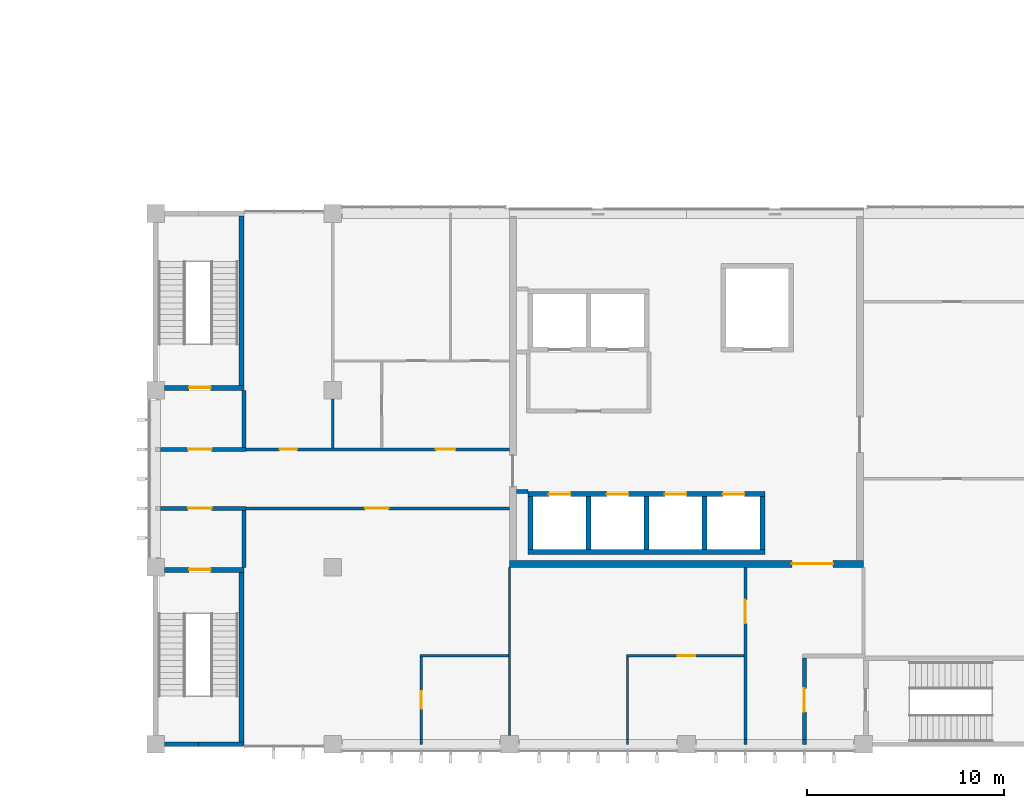
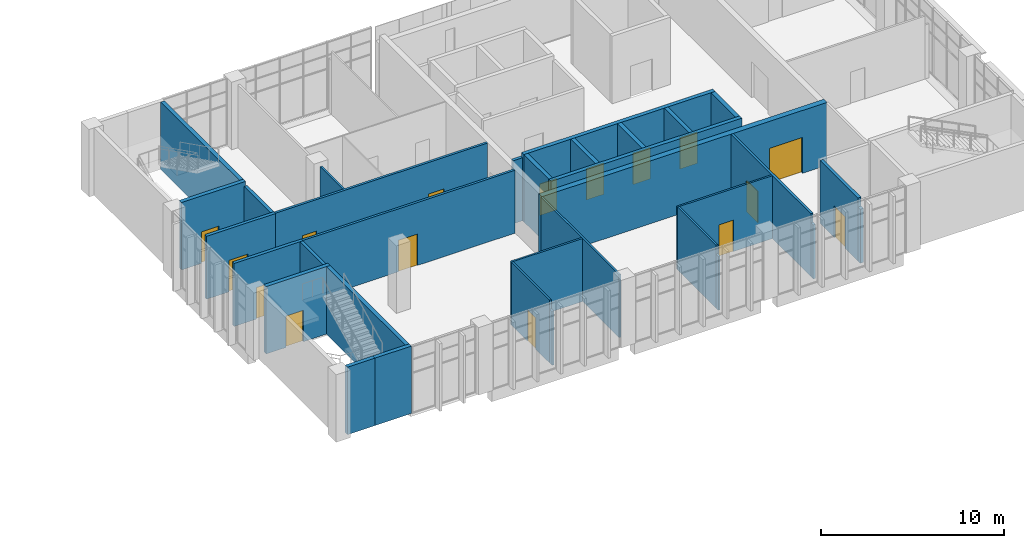
# One storey, part 76 of 106: 33 walls, 16 doors, 16 openings.
"""IFC4 building model written with IfcOpenShell, lengths in metres."""

from ifc_helpers import new_model, si_unit, direction, frame, frame_2d, origin, place, context, subcontext, project, spatial, rectangle, extrude, material, layer, layer_set, type_object, element, fill, save


model = new_model("IFC4")

# Units and contexts
model_context = context("Model", 3, precision=1e-05, world=origin(), true_north=direction((0.0, 1.0)))
body_context = subcontext(model_context, "Body", "Model", "MODEL_VIEW")
ifc_project = project(units=[si_unit("LENGTHUNIT", "METRE"), si_unit("AREAUNIT", "SQUARE_METRE"), si_unit("VOLUMEUNIT", "CUBIC_METRE"), si_unit("PLANEANGLEUNIT", "RADIAN"), si_unit("MASSUNIT", "GRAM", prefix="KILO")], contexts=[model_context])

# Site, building, storey
site_placement = place(None, origin())
site = spatial("IfcSite", under=ifc_project, at=site_placement, CompositionType="ELEMENT")
building_placement = place(site_placement, origin())
building = spatial("IfcBuilding", under=site, at=building_placement, Name="Guidao Yard Department Store", CompositionType="ELEMENT")
storey_placement = place(building_placement, frame((0.0, 0.0, 10.5)))
storey = spatial("IfcBuildingStorey", under=building, at=storey_placement, Name="L02", CompositionType="ELEMENT", Elevation=10.5)

# Wall, opening, door
ifc_material_1 = material(Name="Gypsum Board")
ifc_layer_1 = layer(ifc_material_1, 0.14990234375)
ifc_layer_set_1 = layer_set([ifc_layer_1], Name="Corridor Partition 150 Gypsum Board EI 60")
wall_type_1 = type_object("IfcWallType", Name="Corridor Partition 150 Gypsum Board EI 60", PredefinedType="PARTITIONING", material=ifc_layer_set_1)
wall_1_placement = place(storey_placement, frame((130.39990234375, 12.0, 0.0), z_axis=(0.0, 0.0, 1.0), x_axis=(1.0, 0.0, 0.0)))
wall_1 = element("IfcWall", 1, at=wall_1_placement, inside=storey, type_object=wall_type_1, Name="pt.wall.L02.0006", PredefinedType="PARTITIONING", context=body_context, shape_type="SweptSolid", body=[
    extrude(rectangle(XDim=13.60009765625, YDim=0.14990234375, at=frame_2d((6.800048828125, 0.0))), origin(), (0.0, 0.0, 1.0), 4.199951171875),
])
opening_1_placement = place(wall_1_placement, frame((7.449951171875, 0.0, 0.0), z_axis=(0.0, 0.0, 1.0), x_axis=(-1.0, 0.0, 0.0)))
opening_1 = element("IfcOpeningElement", 2, at=opening_1_placement, cuts=wall_1, Name="Opening L02-412", PredefinedType="OPENING", context=body_context, shape_type="SweptSolid", body=[
    extrude(rectangle(XDim=1.199951171875, YDim=2.10009765625, at=frame_2d((0.60009765625, 1.050048828125))), frame((0.0, 0.0849609375, 0.0), z_axis=(0.0, -1.0, 0.0), x_axis=(1.0, 0.0, 0.0)), (0.0, 0.0, 1.0), 0.169921875),
])
ifc_material_2 = material(Name="Timber door leaf with Steel Q235 frame", Category="steel")
door_type_1 = type_object("IfcDoorType", Name="Door 1200 x 2100 FD30 Single Leaf", OperationType="SINGLE_SWING_LEFT", PredefinedType="DOOR", material=ifc_material_2)
door_1_placement = place(opening_1_placement, origin())
door_1 = element("IfcDoor", 3, at=door_1_placement, inside=storey, type_object=door_type_1, Name="Door L02-412", OperationType="SINGLE_SWING_LEFT", OverallHeight=2.10009765625, OverallWidth=1.199951171875, PredefinedType="DOOR", context=body_context, shape_type="SweptSolid", body=[
    extrude(rectangle(XDim=1.199951171875, YDim=2.10009765625, at=frame_2d((0.60009765625, 1.050048828125))), frame((0.0, 0.02490234375, 0.0), z_axis=(0.0, -1.0, 0.0), x_axis=(1.0, 0.0, 0.0)), (0.0, 0.0, 1.0), 0.050048828125),
])
fill(opening_1, door_1)

# Wall, openings, doors
wall_2_placement = place(storey_placement, frame((130.39990234375, 15.0, 0.0), z_axis=(0.0, 0.0, 1.0), x_axis=(1.0, 0.0, 0.0)))
wall_2 = element("IfcWall", 4, at=wall_2_placement, inside=storey, type_object=wall_type_1, Name="pt.wall.L02.0010", PredefinedType="PARTITIONING", context=body_context, shape_type="SweptSolid", body=[
    extrude(rectangle(XDim=13.60009765625, YDim=0.14990234375, at=frame_2d((6.800048828125, 0.0))), origin(), (0.0, 0.0, 1.0), 4.199951171875),
])
opening_2_placement = place(wall_2_placement, frame((9.85009765625, 0.0, 0.0)))
opening_2 = element("IfcOpeningElement", 5, at=opening_2_placement, cuts=wall_2, Name="Opening L02-407", PredefinedType="OPENING", context=body_context, shape_type="SweptSolid", body=[
    extrude(rectangle(XDim=1.0, YDim=2.10009765625, at=frame_2d((0.5, 1.050048828125))), frame((0.0, 0.0849609375, 0.0), z_axis=(0.0, -1.0, 0.0), x_axis=(1.0, 0.0, 0.0)), (0.0, 0.0, 1.0), 0.169921875),
])
opening_3_placement = place(wall_2_placement, frame((1.89990234375, 0.0, 0.0)))
opening_3 = element("IfcOpeningElement", 6, at=opening_3_placement, cuts=wall_2, Name="Opening L02-411", PredefinedType="OPENING", context=body_context, shape_type="SweptSolid", body=[
    extrude(rectangle(XDim=0.89990234375, YDim=2.10009765625, at=frame_2d((0.449951171875, 1.050048828125))), frame((0.0, 0.0849609375, 0.0), z_axis=(0.0, -1.0, 0.0), x_axis=(1.0, 0.0, 0.0)), (0.0, 0.0, 1.0), 0.169921875),
])
ifc_material_3 = material(Name="Timber door leaf with Steel Q235 frame", Category="steel")
door_type_2 = type_object("IfcDoorType", Name="Door 1000 x 2100 FD30 Single Leaf", OperationType="SINGLE_SWING_LEFT", PredefinedType="DOOR", material=ifc_material_3)
door_2_placement = place(opening_2_placement, origin())
door_2 = element("IfcDoor", 7, at=door_2_placement, inside=storey, type_object=door_type_2, Name="Door L02-407", OperationType="SINGLE_SWING_RIGHT", OverallHeight=2.10009765625, OverallWidth=1.0, PredefinedType="DOOR", context=body_context, shape_type="SweptSolid", body=[
    extrude(rectangle(XDim=1.0, YDim=2.10009765625, at=frame_2d((0.5, 1.050048828125))), frame((0.0, 0.02490234375, 0.0), z_axis=(0.0, -1.0, 0.0), x_axis=(1.0, 0.0, 0.0)), (0.0, 0.0, 1.0), 0.050048828125),
])
fill(opening_2, door_2)
ifc_material_4 = material(Name="Timber door leaf with Steel Q235 frame", Category="steel")
door_type_3 = type_object("IfcDoorType", Name="Door 900 x 2100 FD30 Single Leaf", OperationType="SINGLE_SWING_LEFT", PredefinedType="DOOR", material=ifc_material_4)
door_3_placement = place(opening_3_placement, origin())
door_3 = element("IfcDoor", 8, at=door_3_placement, inside=storey, type_object=door_type_3, Name="Door L02-411", OperationType="SINGLE_SWING_LEFT", OverallHeight=2.10009765625, OverallWidth=0.89990234375, PredefinedType="DOOR", context=body_context, shape_type="SweptSolid", body=[
    extrude(rectangle(XDim=0.89990234375, YDim=2.10009765625, at=frame_2d((0.449951171875, 1.050048828125))), frame((0.0, 0.02490234375, 0.0), z_axis=(0.0, -1.0, 0.0), x_axis=(1.0, 0.0, 0.0)), (0.0, 0.0, 1.0), 0.050048828125),
])
fill(opening_3, door_3)

# Wall
wall_3_placement = place(storey_placement, frame((156.0, 0.0, 0.0), z_axis=(0.0, 0.0, 1.0), x_axis=(0.0, 1.0, 0.0)))
element("IfcWall", 9, at=wall_3_placement, inside=storey, type_object=wall_type_1, Name="pt.wall.L02.0028", PredefinedType="PARTITIONING", context=body_context, shape_type="SweptSolid", body=[
    extrude(rectangle(XDim=0.25, YDim=0.14990234375, at=frame_2d((0.125, 0.0))), origin(), (0.0, 0.0, 1.0), 3.60009765625),
])

# Wall, opening, door
wall_4_placement = place(storey_placement, frame((156.0, 0.25, 0.0), z_axis=(0.0, 0.0, 1.0), x_axis=(0.0, 1.0, 0.0)))
wall_4 = element("IfcWall", 10, at=wall_4_placement, inside=storey, type_object=wall_type_1, Name="pt.wall.L02.0028a", PredefinedType="PARTITIONING", context=body_context, shape_type="SweptSolid", body=[
    extrude(rectangle(XDim=8.75, YDim=0.14990234375, at=frame_2d((4.375, 0.0))), origin(), (0.0, 0.0, 1.0), 4.199951171875),
])
opening_4_placement = place(wall_4_placement, frame((5.89990234375, 0.0, 0.0)))
opening_4 = element("IfcOpeningElement", 11, at=opening_4_placement, cuts=wall_4, Name="Opening L02-414", PredefinedType="OPENING", context=body_context, shape_type="SweptSolid", body=[
    extrude(rectangle(XDim=1.199951171875, YDim=2.10009765625, at=frame_2d((0.60009765625, 1.050048828125))), frame((0.0, 0.0849609375, 0.0), z_axis=(0.0, -1.0, 0.0), x_axis=(1.0, 0.0, 0.0)), (0.0, 0.0, 1.0), 0.169921875),
])
door_4_placement = place(opening_4_placement, origin())
door_4 = element("IfcDoor", 12, at=door_4_placement, inside=storey, type_object=door_type_1, Name="Door L02-414", OperationType="SINGLE_SWING_RIGHT", OverallHeight=2.10009765625, OverallWidth=1.199951171875, PredefinedType="DOOR", context=body_context, shape_type="SweptSolid", body=[
    extrude(rectangle(XDim=1.199951171875, YDim=2.10009765625, at=frame_2d((0.60009765625, 1.050048828125))), frame((0.0, 0.02490234375, 0.0), z_axis=(0.0, -1.0, 0.0), x_axis=(1.0, 0.0, 0.0)), (0.0, 0.0, 1.0), 0.050048828125),
])
fill(opening_4, door_4)

# Wall
ifc_material_5 = material(Name="Gypsum Board")
ifc_layer_2 = layer(ifc_material_5, 0.1201171875)
ifc_layer_set_2 = layer_set([ifc_layer_2], Name="Partition 120 Gypsum Board EI 45")
wall_type_2 = type_object("IfcWallType", Name="Partition 120 Gypsum Board EI 45", PredefinedType="PARTITIONING", material=ifc_layer_set_2)
wall_5_placement = place(storey_placement, frame((139.43994140625, 4.5, 0.0), z_axis=(0.0, 0.0, 1.0), x_axis=(1.0, 0.0, 0.0)))
element("IfcWall", 13, at=wall_5_placement, inside=storey, type_object=wall_type_2, Name="pt.wall.L02.0001", PredefinedType="PARTITIONING", context=body_context, shape_type="SweptSolid", body=[
    extrude(rectangle(XDim=4.5, YDim=0.1201171875, at=frame_2d((2.25, 0.0))), origin(), (0.0, 0.0, 1.0), 4.199951171875),
])

# Wall, opening, door
wall_6_placement = place(storey_placement, frame((149.93994140625, 4.5, 0.0), z_axis=(0.0, 0.0, 1.0), x_axis=(1.0, 0.0, 0.0)))
wall_6 = element("IfcWall", 14, at=wall_6_placement, inside=storey, type_object=wall_type_2, Name="pt.wall.L02.0002", PredefinedType="PARTITIONING", context=body_context, shape_type="SweptSolid", body=[
    extrude(rectangle(XDim=5.985107421875, YDim=0.1201171875, at=frame_2d((2.99267578125, 0.0))), origin(), (0.0, 0.0, 1.0), 4.199951171875),
])
opening_5_placement = place(wall_6_placement, frame((3.510009765625, 0.0, 0.0), z_axis=(0.0, 0.0, 1.0), x_axis=(-1.0, 0.0, 0.0)))
opening_5 = element("IfcOpeningElement", 15, at=opening_5_placement, cuts=wall_6, Name="Opening L02-415", PredefinedType="OPENING", context=body_context, shape_type="SweptSolid", body=[
    extrude(rectangle(XDim=0.89990234375, YDim=2.10009765625, at=frame_2d((0.449951171875, 1.050048828125))), frame((0.0, 0.070068359375, 0.0), z_axis=(0.0, -1.0, 0.0), x_axis=(1.0, 0.0, 0.0)), (0.0, 0.0, 1.0), 0.14013671875),
])
ifc_material_6 = material(Name="Timber door leaf with Steel Q235 frame", Category="steel")
door_type_4 = type_object("IfcDoorType", Name="Door 900 x 2100 NOT RATED Single Leaf", OperationType="SINGLE_SWING_LEFT", PredefinedType="DOOR", material=ifc_material_6)
door_5_placement = place(opening_5_placement, origin())
door_5 = element("IfcDoor", 16, at=door_5_placement, inside=storey, type_object=door_type_4, Name="Door L02-415", OperationType="SINGLE_SWING_LEFT", OverallHeight=2.10009765625, OverallWidth=0.89990234375, PredefinedType="DOOR", context=body_context, shape_type="SweptSolid", body=[
    extrude(rectangle(XDim=0.89990234375, YDim=2.10009765625, at=frame_2d((0.449951171875, 1.050048828125))), frame((0.0, 0.02490234375, 0.0), z_axis=(0.0, -1.0, 0.0), x_axis=(1.0, 0.0, 0.0)), (0.0, 0.0, 1.0), 0.050048828125),
])
fill(opening_5, door_5)

# Walls
wall_7_placement = place(storey_placement, frame((135.0, 15.074951171875, 0.0), z_axis=(0.0, 0.0, 1.0), x_axis=(0.0, 1.0, 0.0)))
element("IfcWall", 17, at=wall_7_placement, inside=storey, type_object=wall_type_2, Name="pt.wall.L02.0018", PredefinedType="PARTITIONING", context=body_context, shape_type="SweptSolid", body=[
    extrude(rectangle(XDim=2.47509765625, YDim=0.1201171875, at=frame_2d((1.237548828125, 0.0))), origin(), (0.0, 0.0, 1.0), 4.199951171875),
])
wall_8_placement = place(storey_placement, frame((139.5, 0.0, 0.0), z_axis=(0.0, 0.0, 1.0), x_axis=(0.0, 1.0, 0.0)))
element("IfcWall", 18, at=wall_8_placement, inside=storey, type_object=wall_type_2, Name="pt.wall.L02.0021", PredefinedType="PARTITIONING", context=body_context, shape_type="SweptSolid", body=[
    extrude(rectangle(XDim=0.25, YDim=0.1201171875, at=frame_2d((0.125, 0.0))), origin(), (0.0, 0.0, 1.0), 3.60009765625),
])

# Wall, opening, door
wall_9_placement = place(storey_placement, frame((139.5, 0.25, 0.0), z_axis=(0.0, 0.0, 1.0), x_axis=(0.0, 1.0, 0.0)))
wall_9 = element("IfcWall", 19, at=wall_9_placement, inside=storey, type_object=wall_type_2, Name="pt.wall.L02.0021a", PredefinedType="PARTITIONING", context=body_context, shape_type="SweptSolid", body=[
    extrude(rectangle(XDim=4.18994140625, YDim=0.1201171875, at=frame_2d((2.094970703125, 0.0))), origin(), (0.0, 0.0, 1.0), 4.199951171875),
])
opening_6_placement = place(wall_9_placement, frame((2.449951171875, 0.0, 0.0), z_axis=(0.0, 0.0, 1.0), x_axis=(-1.0, 0.0, 0.0)))
opening_6 = element("IfcOpeningElement", 20, at=opening_6_placement, cuts=wall_9, Name="Opening L02-413", PredefinedType="OPENING", context=body_context, shape_type="SweptSolid", body=[
    extrude(rectangle(XDim=0.89990234375, YDim=2.10009765625, at=frame_2d((0.449951171875, 1.050048828125))), frame((0.0, 0.070068359375, 0.0), z_axis=(0.0, -1.0, 0.0), x_axis=(1.0, 0.0, 0.0)), (0.0, 0.0, 1.0), 0.14013671875),
])
door_6_placement = place(opening_6_placement, origin())
door_6 = element("IfcDoor", 21, at=door_6_placement, inside=storey, type_object=door_type_4, Name="Door L02-413", OperationType="SINGLE_SWING_RIGHT", OverallHeight=2.10009765625, OverallWidth=0.89990234375, PredefinedType="DOOR", context=body_context, shape_type="SweptSolid", body=[
    extrude(rectangle(XDim=0.89990234375, YDim=2.10009765625, at=frame_2d((0.449951171875, 1.050048828125))), frame((0.0, 0.02490234375, 0.0), z_axis=(0.0, -1.0, 0.0), x_axis=(1.0, 0.0, 0.0)), (0.0, 0.0, 1.0), 0.050048828125),
])
fill(opening_6, door_6)

# Walls
wall_10_placement = place(storey_placement, frame((144.0, 0.449951171875, 0.0), z_axis=(0.0, 0.0, 1.0), x_axis=(0.0, 1.0, 0.0)))
element("IfcWall", 22, at=wall_10_placement, inside=storey, type_object=wall_type_2, Name="pt.wall.L02.0023", PredefinedType="PARTITIONING", context=body_context, shape_type="SweptSolid", body=[
    extrude(rectangle(XDim=8.550048828125, YDim=0.1201171875, at=frame_2d((4.27490234375, 0.0))), origin(), (0.0, 0.0, 1.0), 4.199951171875),
])
wall_11_placement = place(storey_placement, frame((150.0, 0.0, 0.0), z_axis=(0.0, 0.0, 1.0), x_axis=(0.0, 1.0, 0.0)))
element("IfcWall", 23, at=wall_11_placement, inside=storey, type_object=wall_type_2, Name="pt.wall.L02.0026", PredefinedType="PARTITIONING", context=body_context, shape_type="SweptSolid", body=[
    extrude(rectangle(XDim=0.25, YDim=0.1201171875, at=frame_2d((0.125, 0.0))), origin(), (0.0, 0.0, 1.0), 3.60009765625),
])
wall_12_placement = place(storey_placement, frame((150.0, 0.25, 0.0), z_axis=(0.0, 0.0, 1.0), x_axis=(0.0, 1.0, 0.0)))
element("IfcWall", 24, at=wall_12_placement, inside=storey, type_object=wall_type_2, Name="pt.wall.L02.0026a", PredefinedType="PARTITIONING", context=body_context, shape_type="SweptSolid", body=[
    extrude(rectangle(XDim=4.18994140625, YDim=0.1201171875, at=frame_2d((2.094970703125, 0.0))), origin(), (0.0, 0.0, 1.0), 4.199951171875),
])

# Wall, opening, door
ifc_material_7 = material(Name="Autoclaved aerated concrete block A3.5 B06", Category="concrete")
ifc_layer_3 = layer(ifc_material_7, 0.199951171875)
ifc_layer_set_3 = layer_set([ifc_layer_3], Name="Shaft Wall 200 Autoclaved Block EI 120")
wall_type_3 = type_object("IfcWallType", Name="Shaft Wall 200 Autoclaved Block EI 120", PredefinedType="PARTITIONING", material=ifc_layer_set_3)
wall_13_placement = place(storey_placement, frame((126.25, 12.0, 0.0), z_axis=(0.0, 0.0, 1.0), x_axis=(1.0, 0.0, 0.0)))
wall_13 = element("IfcWall", 25, at=wall_13_placement, inside=storey, type_object=wall_type_3, Name="pt.wall.L02.0005a", PredefinedType="PARTITIONING", context=body_context, shape_type="SweptSolid", body=[
    extrude(rectangle(XDim=4.35009765625, YDim=0.199951171875, at=frame_2d((2.175048828125, 0.0))), origin(), (0.0, 0.0, 1.0), 4.199951171875),
])
opening_7_placement = place(wall_13_placement, frame((2.599853515625, 0.0, 0.0), z_axis=(0.0, 0.0, 1.0), x_axis=(-1.0, 0.0, 0.0)))
opening_7 = element("IfcOpeningElement", 26, at=opening_7_placement, cuts=wall_13, Name="Opening L02-401", PredefinedType="OPENING", context=body_context, shape_type="SweptSolid", body=[
    extrude(rectangle(XDim=1.199951171875, YDim=2.10009765625, at=frame_2d((0.60009765625, 1.050048828125))), frame((0.0, 0.10986328125, 0.0), z_axis=(0.0, -1.0, 0.0), x_axis=(1.0, 0.0, 0.0)), (0.0, 0.0, 1.0), 0.219970703125),
])
ifc_material_8 = material(Name="Timber door leaf with Steel Q235 frame", Category="steel")
door_type_5 = type_object("IfcDoorType", Name="Door 1200 x 2100 FD60 Single Leaf", OperationType="SINGLE_SWING_LEFT", PredefinedType="DOOR", material=ifc_material_8)
door_7_placement = place(opening_7_placement, origin())
door_7 = element("IfcDoor", 27, at=door_7_placement, inside=storey, type_object=door_type_5, Name="Door L02-401", OperationType="SINGLE_SWING_RIGHT", OverallHeight=2.10009765625, OverallWidth=1.199951171875, PredefinedType="DOOR", context=body_context, shape_type="SweptSolid", body=[
    extrude(rectangle(XDim=1.199951171875, YDim=2.10009765625, at=frame_2d((0.60009765625, 1.050048828125))), frame((0.0, 0.02490234375, 0.0), z_axis=(0.0, -1.0, 0.0), x_axis=(1.0, 0.0, 0.0)), (0.0, 0.0, 1.0), 0.050048828125),
])
fill(opening_7, door_7)

# Wall
wall_14_placement = place(storey_placement, frame((144.35009765625, 12.85009765625, 0.0), z_axis=(0.0, 0.0, 1.0), x_axis=(1.0, 0.0, 0.0)))
element("IfcWall", 28, at=wall_14_placement, inside=storey, type_object=wall_type_3, Name="pt.wall.L02.0007", PredefinedType="PARTITIONING", context=body_context, shape_type="SweptSolid", body=[
    extrude(rectangle(XDim=0.599853515625, YDim=0.199951171875, at=frame_2d((0.2998046875, 0.0))), origin(), (0.0, 0.0, 1.0), 4.199951171875),
])

# Wall, opening, door
wall_15_placement = place(storey_placement, frame((126.25, 15.0, 0.0), z_axis=(0.0, 0.0, 1.0), x_axis=(1.0, 0.0, 0.0)))
wall_15 = element("IfcWall", 29, at=wall_15_placement, inside=storey, type_object=wall_type_3, Name="pt.wall.L02.0009a", PredefinedType="PARTITIONING", context=body_context, shape_type="SweptSolid", body=[
    extrude(rectangle(XDim=4.35009765625, YDim=0.199951171875, at=frame_2d((2.175048828125, 0.0))), origin(), (0.0, 0.0, 1.0), 4.199951171875),
])
opening_8_placement = place(wall_15_placement, frame((1.39990234375, 0.0, 0.0)))
opening_8 = element("IfcOpeningElement", 30, at=opening_8_placement, cuts=wall_15, Name="Opening L02-403", PredefinedType="OPENING", context=body_context, shape_type="SweptSolid", body=[
    extrude(rectangle(XDim=1.199951171875, YDim=2.10009765625, at=frame_2d((0.60009765625, 1.050048828125))), frame((0.0, 0.10986328125, 0.0), z_axis=(0.0, -1.0, 0.0), x_axis=(1.0, 0.0, 0.0)), (0.0, 0.0, 1.0), 0.219970703125),
])
door_8_placement = place(opening_8_placement, origin())
door_8 = element("IfcDoor", 31, at=door_8_placement, inside=storey, type_object=door_type_5, Name="Door L02-403", OperationType="SINGLE_SWING_LEFT", OverallHeight=2.10009765625, OverallWidth=1.199951171875, PredefinedType="DOOR", context=body_context, shape_type="SweptSolid", body=[
    extrude(rectangle(XDim=1.199951171875, YDim=2.10009765625, at=frame_2d((0.60009765625, 1.050048828125))), frame((0.0, 0.02490234375, 0.0), z_axis=(0.0, -1.0, 0.0), x_axis=(1.0, 0.0, 0.0)), (0.0, 0.0, 1.0), 0.050048828125),
])
fill(opening_8, door_8)

# Walls
for number, where, z_axis, x_axis, name in (
    (32, (130.5, 9.0, 0.0), (0.0, 0.0, 1.0), (0.0, 1.0, 0.0), "pt.wall.L02.0016"),
    (33, (130.5, 15.10009765625, 0.0), (0.0, 0.0, 1.0), (0.0, 1.0, 0.0), "pt.wall.L02.0017"),
):
    element("IfcWall", number, at=place(storey_placement, frame(where, z_axis=z_axis, x_axis=x_axis)), inside=storey, type_object=wall_type_3, Name=name, PredefinedType="PARTITIONING", context=body_context, shape_type="SweptSolid", body=[
        extrude(rectangle(XDim=2.89990234375, YDim=0.199951171875, at=frame_2d((1.449951171875, 0.0))), origin(), (0.0, 0.0, 1.0), 4.199951171875),
    ])
wall_16_placement = place(storey_placement, frame((159.0, 0.0, 0.0), z_axis=(0.0, 0.0, 1.0), x_axis=(0.0, 1.0, 0.0)))
element("IfcWall", 34, at=wall_16_placement, inside=storey, type_object=wall_type_3, Name="pt.wall.L02.0029", PredefinedType="PARTITIONING", context=body_context, shape_type="SweptSolid", body=[
    extrude(rectangle(XDim=0.25, YDim=0.199951171875, at=frame_2d((0.125, 0.0))), origin(), (0.0, 0.0, 1.0), 3.60009765625),
])

# Wall, opening, door
wall_17_placement = place(storey_placement, frame((159.0, 0.25, 0.0), z_axis=(0.0, 0.0, 1.0), x_axis=(0.0, 1.0, 0.0)))
wall_17 = element("IfcWall", 35, at=wall_17_placement, inside=storey, type_object=wall_type_3, Name="pt.wall.L02.0029a", PredefinedType="PARTITIONING", context=body_context, shape_type="SweptSolid", body=[
    extrude(rectangle(XDim=4.14990234375, YDim=0.199951171875, at=frame_2d((2.074951171875, 0.0))), origin(), (0.0, 0.0, 1.0), 4.199951171875),
])
opening_9_placement = place(wall_17_placement, frame((2.599853515625, 0.0, 0.0), z_axis=(0.0, 0.0, 1.0), x_axis=(-1.0, 0.0, 0.0)))
opening_9 = element("IfcOpeningElement", 36, at=opening_9_placement, cuts=wall_17, Name="Opening L02-402", PredefinedType="OPENING", context=body_context, shape_type="SweptSolid", body=[
    extrude(rectangle(XDim=1.199951171875, YDim=2.10009765625, at=frame_2d((0.60009765625, 1.050048828125))), frame((0.0, 0.10986328125, 0.0), z_axis=(0.0, -1.0, 0.0), x_axis=(1.0, 0.0, 0.0)), (0.0, 0.0, 1.0), 0.219970703125),
])
door_9_placement = place(opening_9_placement, origin())
door_9 = element("IfcDoor", 37, at=door_9_placement, inside=storey, type_object=door_type_5, Name="Door L02-402", OperationType="SINGLE_SWING_RIGHT", OverallHeight=2.10009765625, OverallWidth=1.199951171875, PredefinedType="DOOR", context=body_context, shape_type="SweptSolid", body=[
    extrude(rectangle(XDim=1.199951171875, YDim=2.10009765625, at=frame_2d((0.60009765625, 1.050048828125))), frame((0.0, 0.02490234375, 0.0), z_axis=(0.0, -1.0, 0.0), x_axis=(1.0, 0.0, 0.0)), (0.0, 0.0, 1.0), 0.050048828125),
])
fill(opening_9, door_9)

ifc_material_9 = material(Name="Concrete C50", Category="concrete")
ifc_layer_4 = layer(ifc_material_9, 0.35009765625)
ifc_layer_set_4 = layer_set([ifc_layer_4], Name="Shear Wall 350 Concrete C50")
wall_type_4 = type_object("IfcWallType", Name="Shear Wall 350 Concrete C50", PredefinedType="SHEAR", material=ifc_layer_set_4)
wall_18_placement = place(storey_placement, frame((144.0, 9.175048828125, 0.0), z_axis=(0.0, 0.0, 1.0), x_axis=(1.0, 0.0, 0.0)))
wall_18 = element("IfcWall", 38, at=wall_18_placement, inside=storey, type_object=wall_type_4, Name="pt.wall.L02.0004", PredefinedType="SHEAR", context=body_context, shape_type="SweptSolid", body=[
    extrude(rectangle(XDim=18.0, YDim=0.35009765625, at=frame_2d((9.0, 0.0))), origin(), (0.0, 0.0, 1.0), 4.199951171875),
])
opening_10_placement = place(wall_18_placement, frame((16.462646484375, 0.0, 0.0), z_axis=(0.0, 0.0, 1.0), x_axis=(-1.0, 0.0, 0.0)))
opening_10 = element("IfcOpeningElement", 39, at=opening_10_placement, cuts=wall_18, Name="Opening L02-406", PredefinedType="OPENING", context=body_context, shape_type="SweptSolid", body=[
    extrude(rectangle(XDim=2.10009765625, YDim=2.39990234375, at=frame_2d((1.050048828125, 1.199951171875))), frame((0.0, 0.18505859375, 0.0), z_axis=(0.0, -1.0, 0.0), x_axis=(1.0, 0.0, 0.0)), (0.0, 0.0, 1.0), 0.3701171875),
])
ifc_material_10 = material(Name="Timber door leaf with Steel Q235 frame", Category="steel")
door_type_6 = type_object("IfcDoorType", Name="Door 2100 x 2400 FD60 Double Leaf", OperationType="DOUBLE_DOOR_SINGLE_SWING", PredefinedType="DOOR", material=ifc_material_10)
door_10_placement = place(opening_10_placement, origin())
door_10 = element("IfcDoor", 40, at=door_10_placement, inside=storey, type_object=door_type_6, Name="Door L02-406", OperationType="DOUBLE_DOOR_SINGLE_SWING", OverallHeight=2.39990234375, OverallWidth=2.10009765625, PredefinedType="DOOR", context=body_context, shape_type="SweptSolid", body=[
    extrude(rectangle(XDim=2.10009765625, YDim=2.39990234375, at=frame_2d((1.050048828125, 1.199951171875))), frame((0.0, 0.02490234375, 0.0), z_axis=(0.0, -1.0, 0.0), x_axis=(1.0, 0.0, 0.0)), (0.0, 0.0, 1.0), 0.050048828125),
])
fill(opening_10, door_10)

# Walls
ifc_material_11 = material(Name="Concrete C40", Category="concrete")
ifc_layer_5 = layer(ifc_material_11, 0.25)
ifc_layer_set_5 = layer_set([ifc_layer_5], Name="Wall RC 250 C40 stair and shaft")
wall_type_5 = type_object("IfcWallType", Name="Wall RC 250 C40 stair and shaft", PredefinedType="SHEAR", material=ifc_layer_set_5)
wall_19_placement = place(storey_placement, frame((126.449951171875, 0.0, 0.0), z_axis=(0.0, 0.0, 1.0), x_axis=(1.0, 0.0, 0.0)))
element("IfcWall", 41, at=wall_19_placement, inside=storey, type_object=wall_type_5, Name="Stair wall SO1", PredefinedType="SHEAR", context=body_context, shape_type="SweptSolid", body=[
    extrude(rectangle(XDim=1.738037109375, YDim=0.25, at=frame_2d((0.869140625, 0.0))), origin(), (0.0, 0.0, 1.0), 4.5),
])
wall_20_placement = place(storey_placement, frame((128.18798828125, 0.0, 0.0), z_axis=(0.0, 0.0, 1.0), x_axis=(1.0, 0.0, 0.0)))
element("IfcWall", 42, at=wall_20_placement, inside=storey, type_object=wall_type_5, Name="Stair wall SO1", PredefinedType="SHEAR", context=body_context, shape_type="SweptSolid", body=[
    extrude(rectangle(XDim=2.31201171875, YDim=0.25, at=frame_2d((1.156005859375, 0.0))), origin(), (0.0, 0.0, 1.0), 4.5),
])

# Wall, opening, door
wall_21_placement = place(storey_placement, frame((126.449951171875, 8.875, 0.0), z_axis=(0.0, 0.0, 1.0), x_axis=(1.0, 0.0, 0.0)))
wall_21 = element("IfcWall", 43, at=wall_21_placement, inside=storey, type_object=wall_type_5, Name="Stair wall SO1", PredefinedType="SHEAR", context=body_context, shape_type="SweptSolid", body=[
    extrude(rectangle(XDim=4.050048828125, YDim=0.25, at=frame_2d((2.02490234375, 0.0))), origin(), (0.0, 0.0, 1.0), 4.5),
])
opening_11_placement = place(wall_21_placement, frame((2.35009765625, 0.0, 0.0), z_axis=(0.0, 0.0, 1.0), x_axis=(-1.0, 0.0, 0.0)))
opening_11 = element("IfcOpeningElement", 44, at=opening_11_placement, cuts=wall_21, Name="Opening L02-813", PredefinedType="OPENING", context=body_context, shape_type="SweptSolid", body=[
    extrude(rectangle(XDim=1.10009765625, YDim=2.10009765625, at=frame_2d((0.550048828125, 1.050048828125))), frame((0.0, 0.135009765625, 0.0), z_axis=(0.0, -1.0, 0.0), x_axis=(1.0, 0.0, 0.0)), (0.0, 0.0, 1.0), 0.27001953125),
])
ifc_material_12 = material(Name="Steel Q235", Category="steel")
door_type_7 = type_object("IfcDoorType", Name="Door fire-resisting 1100 x 2100 FD60", OperationType="SINGLE_SWING_LEFT", PredefinedType="DOOR", material=ifc_material_12)
door_11_placement = place(opening_11_placement, origin())
door_11 = element("IfcDoor", 45, at=door_11_placement, inside=storey, type_object=door_type_7, Name="Stair O1 door L02", OperationType="SINGLE_SWING_RIGHT", OverallHeight=2.10009765625, OverallWidth=1.10009765625, PredefinedType="DOOR", context=body_context, shape_type="SweptSolid", body=[
    extrude(rectangle(XDim=1.10009765625, YDim=2.10009765625, at=frame_2d((0.550048828125, 1.050048828125))), frame((0.0, 0.02490234375, 0.0), z_axis=(0.0, -1.0, 0.0), x_axis=(1.0, 0.0, 0.0)), (0.0, 0.0, 1.0), 0.050048828125),
])
fill(opening_11, door_11)

# Wall
wall_22_placement = place(storey_placement, frame((130.375, 0.125, 0.0), z_axis=(0.0, 0.0, 1.0), x_axis=(0.0, 1.0, 0.0)))
element("IfcWall", 46, at=wall_22_placement, inside=storey, type_object=wall_type_5, Name="Stair wall SO1", PredefinedType="SHEAR", context=body_context, shape_type="SweptSolid", body=[
    extrude(rectangle(XDim=8.625, YDim=0.25, at=frame_2d((4.3125, 0.0))), origin(), (0.0, 0.0, 1.0), 4.5),
])

# Wall, opening, door
wall_23_placement = place(storey_placement, frame((126.449951171875, 18.125, 0.0), z_axis=(0.0, 0.0, 1.0), x_axis=(1.0, 0.0, 0.0)))
wall_23 = element("IfcWall", 47, at=wall_23_placement, inside=storey, type_object=wall_type_5, Name="Stair wall SO3", PredefinedType="SHEAR", context=body_context, shape_type="SweptSolid", body=[
    extrude(rectangle(XDim=4.050048828125, YDim=0.25, at=frame_2d((2.02490234375, 0.0))), origin(), (0.0, 0.0, 1.0), 4.5),
])
opening_12_placement = place(wall_23_placement, frame((1.25, 0.0, 0.0)))
opening_12 = element("IfcOpeningElement", 48, at=opening_12_placement, cuts=wall_23, Name="Opening L02-815", PredefinedType="OPENING", context=body_context, shape_type="SweptSolid", body=[
    extrude(rectangle(XDim=1.10009765625, YDim=2.10009765625, at=frame_2d((0.550048828125, 1.050048828125))), frame((0.0, 0.135009765625, 0.0), z_axis=(0.0, -1.0, 0.0), x_axis=(1.0, 0.0, 0.0)), (0.0, 0.0, 1.0), 0.27001953125),
])
door_12_placement = place(opening_12_placement, origin())
door_12 = element("IfcDoor", 49, at=door_12_placement, inside=storey, type_object=door_type_7, Name="Stair O3 door L02", OperationType="SINGLE_SWING_LEFT", OverallHeight=2.10009765625, OverallWidth=1.10009765625, PredefinedType="DOOR", context=body_context, shape_type="SweptSolid", body=[
    extrude(rectangle(XDim=1.10009765625, YDim=2.10009765625, at=frame_2d((0.550048828125, 1.050048828125))), frame((0.0, 0.02490234375, 0.0), z_axis=(0.0, -1.0, 0.0), x_axis=(1.0, 0.0, 0.0)), (0.0, 0.0, 1.0), 0.050048828125),
])
fill(opening_12, door_12)

# Wall
wall_24_placement = place(storey_placement, frame((130.375, 18.25, 0.0), z_axis=(0.0, 0.0, 1.0), x_axis=(0.0, 1.0, 0.0)))
element("IfcWall", 50, at=wall_24_placement, inside=storey, type_object=wall_type_5, Name="Stair wall SO3", PredefinedType="SHEAR", context=body_context, shape_type="SweptSolid", body=[
    extrude(rectangle(XDim=8.625, YDim=0.25, at=frame_2d((4.3125, 0.0))), origin(), (0.0, 0.0, 1.0), 4.5),
])

# Wall, openings, doors
wall_25_placement = place(storey_placement, frame((144.949951171875, 12.72509765625, 0.0), z_axis=(0.0, 0.0, 1.0), x_axis=(1.0, 0.0, 0.0)))
wall_25 = element("IfcWall", 51, at=wall_25_placement, inside=storey, type_object=wall_type_5, Name="Lift shaft wall OL1 to OL4", PredefinedType="SHEAR", context=body_context, shape_type="SweptSolid", body=[
    extrude(rectangle(XDim=12.050048828125, YDim=0.25, at=frame_2d((6.02490234375, 0.0))), origin(), (0.0, 0.0, 1.0), 4.5),
])
opening_13_placement = place(wall_25_placement, frame((1.050048828125, 0.0, 0.0)))
opening_13 = element("IfcOpeningElement", 52, at=opening_13_placement, cuts=wall_25, Name="Opening LD-OL1-L02", PredefinedType="OPENING", context=body_context, shape_type="SweptSolid", body=[
    extrude(rectangle(XDim=1.10009765625, YDim=2.10009765625, at=frame_2d((0.550048828125, 1.050048828125))), frame((0.0, 0.135009765625, 0.0), z_axis=(0.0, -1.0, 0.0), x_axis=(1.0, 0.0, 0.0)), (0.0, 0.0, 1.0), 0.27001953125),
])
opening_14_placement = place(wall_25_placement, frame((4.0, 0.0, 0.0)))
opening_14 = element("IfcOpeningElement", 53, at=opening_14_placement, cuts=wall_25, Name="Opening LD-OL2-L02", PredefinedType="OPENING", context=body_context, shape_type="SweptSolid", body=[
    extrude(rectangle(XDim=1.10009765625, YDim=2.10009765625, at=frame_2d((0.550048828125, 1.050048828125))), frame((0.0, 0.135009765625, 0.0), z_axis=(0.0, -1.0, 0.0), x_axis=(1.0, 0.0, 0.0)), (0.0, 0.0, 1.0), 0.27001953125),
])
opening_15_placement = place(wall_25_placement, frame((6.949951171875, 0.0, 0.0)))
opening_15 = element("IfcOpeningElement", 54, at=opening_15_placement, cuts=wall_25, Name="Opening LD-OL3-L02", PredefinedType="OPENING", context=body_context, shape_type="SweptSolid", body=[
    extrude(rectangle(XDim=1.10009765625, YDim=2.10009765625, at=frame_2d((0.550048828125, 1.050048828125))), frame((0.0, 0.135009765625, 0.0), z_axis=(0.0, -1.0, 0.0), x_axis=(1.0, 0.0, 0.0)), (0.0, 0.0, 1.0), 0.27001953125),
])
opening_16_placement = place(wall_25_placement, frame((9.89990234375, 0.0, 0.0)))
opening_16 = element("IfcOpeningElement", 55, at=opening_16_placement, cuts=wall_25, Name="Opening LD-OL4-L02", PredefinedType="OPENING", context=body_context, shape_type="SweptSolid", body=[
    extrude(rectangle(XDim=1.10009765625, YDim=2.10009765625, at=frame_2d((0.550048828125, 1.050048828125))), frame((0.0, 0.135009765625, 0.0), z_axis=(0.0, -1.0, 0.0), x_axis=(1.0, 0.0, 0.0)), (0.0, 0.0, 1.0), 0.27001953125),
])
ifc_material_13 = material(Name="Stainless steel 06Cr19Ni10", Category="steel")
door_type_8 = type_object("IfcDoorType", Name="Lift landing door fire-resisting sliding 1100 x 2100", OperationType="DOUBLE_DOOR_SLIDING", PredefinedType="DOOR", material=ifc_material_13)
door_13_placement = place(opening_13_placement, origin())
door_13 = element("IfcDoor", 56, at=door_13_placement, inside=storey, type_object=door_type_8, Name="Lift landing door OL1 L02", OperationType="DOUBLE_DOOR_SLIDING", OverallHeight=2.10009765625, OverallWidth=1.10009765625, PredefinedType="DOOR", context=body_context, shape_type="SweptSolid", body=[
    extrude(rectangle(XDim=1.10009765625, YDim=2.10009765625, at=frame_2d((0.550048828125, 1.050048828125))), frame((0.0, 0.02490234375, 0.0), z_axis=(0.0, -1.0, 0.0), x_axis=(1.0, 0.0, 0.0)), (0.0, 0.0, 1.0), 0.050048828125),
])
fill(opening_13, door_13)
door_14_placement = place(opening_14_placement, origin())
door_14 = element("IfcDoor", 57, at=door_14_placement, inside=storey, type_object=door_type_8, Name="Lift landing door OL2 L02", OperationType="DOUBLE_DOOR_SLIDING", OverallHeight=2.10009765625, OverallWidth=1.10009765625, PredefinedType="DOOR", context=body_context, shape_type="SweptSolid", body=[
    extrude(rectangle(XDim=1.10009765625, YDim=2.10009765625, at=frame_2d((0.550048828125, 1.050048828125))), frame((0.0, 0.02490234375, 0.0), z_axis=(0.0, -1.0, 0.0), x_axis=(1.0, 0.0, 0.0)), (0.0, 0.0, 1.0), 0.050048828125),
])
fill(opening_14, door_14)
door_15_placement = place(opening_15_placement, origin())
door_15 = element("IfcDoor", 58, at=door_15_placement, inside=storey, type_object=door_type_8, Name="Lift landing door OL3 L02", OperationType="DOUBLE_DOOR_SLIDING", OverallHeight=2.10009765625, OverallWidth=1.10009765625, PredefinedType="DOOR", context=body_context, shape_type="SweptSolid", body=[
    extrude(rectangle(XDim=1.10009765625, YDim=2.10009765625, at=frame_2d((0.550048828125, 1.050048828125))), frame((0.0, 0.02490234375, 0.0), z_axis=(0.0, -1.0, 0.0), x_axis=(1.0, 0.0, 0.0)), (0.0, 0.0, 1.0), 0.050048828125),
])
fill(opening_15, door_15)
door_16_placement = place(opening_16_placement, origin())
door_16 = element("IfcDoor", 59, at=door_16_placement, inside=storey, type_object=door_type_8, Name="Lift landing door OL4 L02", OperationType="DOUBLE_DOOR_SLIDING", OverallHeight=2.10009765625, OverallWidth=1.10009765625, PredefinedType="DOOR", context=body_context, shape_type="SweptSolid", body=[
    extrude(rectangle(XDim=1.10009765625, YDim=2.10009765625, at=frame_2d((0.550048828125, 1.050048828125))), frame((0.0, 0.02490234375, 0.0), z_axis=(0.0, -1.0, 0.0), x_axis=(1.0, 0.0, 0.0)), (0.0, 0.0, 1.0), 0.050048828125),
])
fill(opening_16, door_16)

# Walls
wall_26_placement = place(storey_placement, frame((144.949951171875, 9.77490234375, 0.0), z_axis=(0.0, 0.0, 1.0), x_axis=(1.0, 0.0, 0.0)))
element("IfcWall", 60, at=wall_26_placement, inside=storey, type_object=wall_type_5, Name="Lift shaft wall OL1 to OL4", PredefinedType="SHEAR", context=body_context, shape_type="SweptSolid", body=[
    extrude(rectangle(XDim=12.050048828125, YDim=0.25, at=frame_2d((6.02490234375, 0.0))), origin(), (0.0, 0.0, 1.0), 4.5),
])
for number, where, z_axis, x_axis, name in (
    (61, (145.074951171875, 9.89990234375, 0.0), (0.0, 0.0, 1.0), (0.0, 1.0, 0.0), "Lift shaft wall OL1 to OL4"),
    (62, (148.02490234375, 9.89990234375, 0.0), (0.0, 0.0, 1.0), (0.0, 1.0, 0.0), "Lift shaft wall OL1 to OL4"),
    (63, (150.97509765625, 9.89990234375, 0.0), (0.0, 0.0, 1.0), (0.0, 1.0, 0.0), "Lift shaft wall OL1 to OL4"),
    (64, (153.925048828125, 9.89990234375, 0.0), (0.0, 0.0, 1.0), (0.0, 1.0, 0.0), "Lift shaft wall OL1 to OL4"),
    (65, (156.875, 9.89990234375, 0.0), (0.0, 0.0, 1.0), (0.0, 1.0, 0.0), "Lift shaft wall OL1 to OL4"),
):
    element("IfcWall", number, at=place(storey_placement, frame(where, z_axis=z_axis, x_axis=x_axis)), inside=storey, type_object=wall_type_5, Name=name, PredefinedType="SHEAR", context=body_context, shape_type="SweptSolid", body=[
        extrude(rectangle(XDim=2.7001953125, YDim=0.25, at=frame_2d((1.35009765625, 0.0))), origin(), (0.0, 0.0, 1.0), 4.5),
    ])

save(model, "model.ifc")
